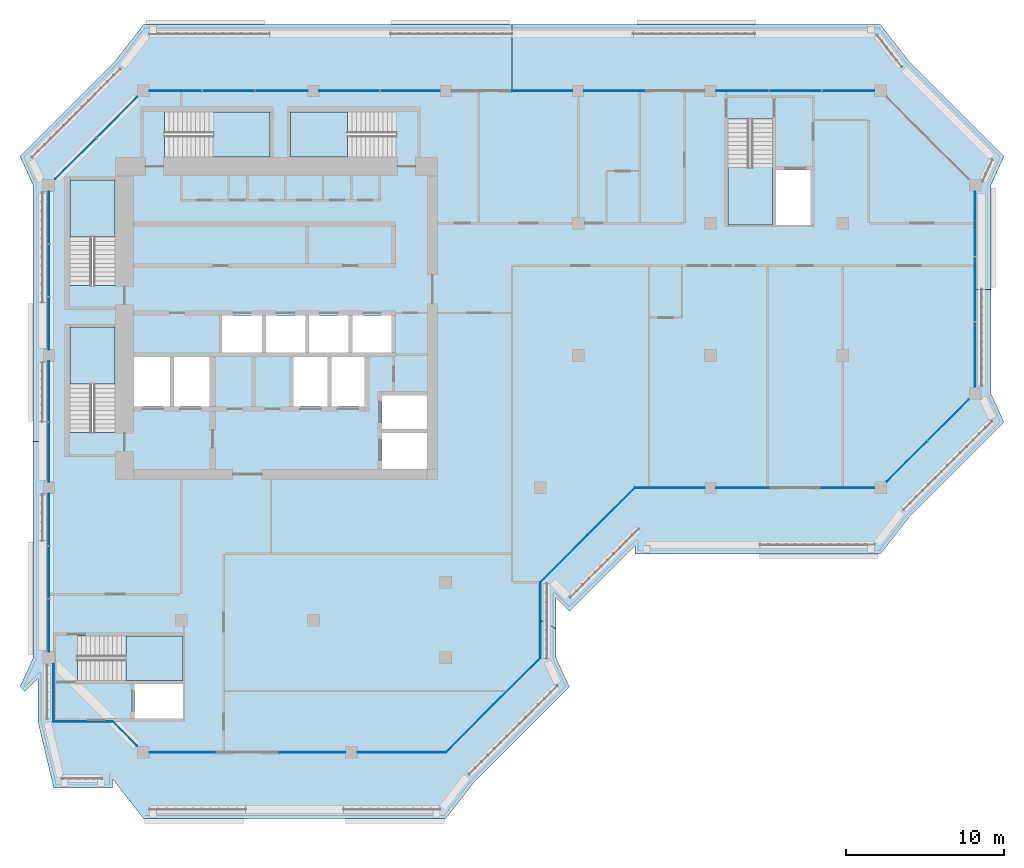
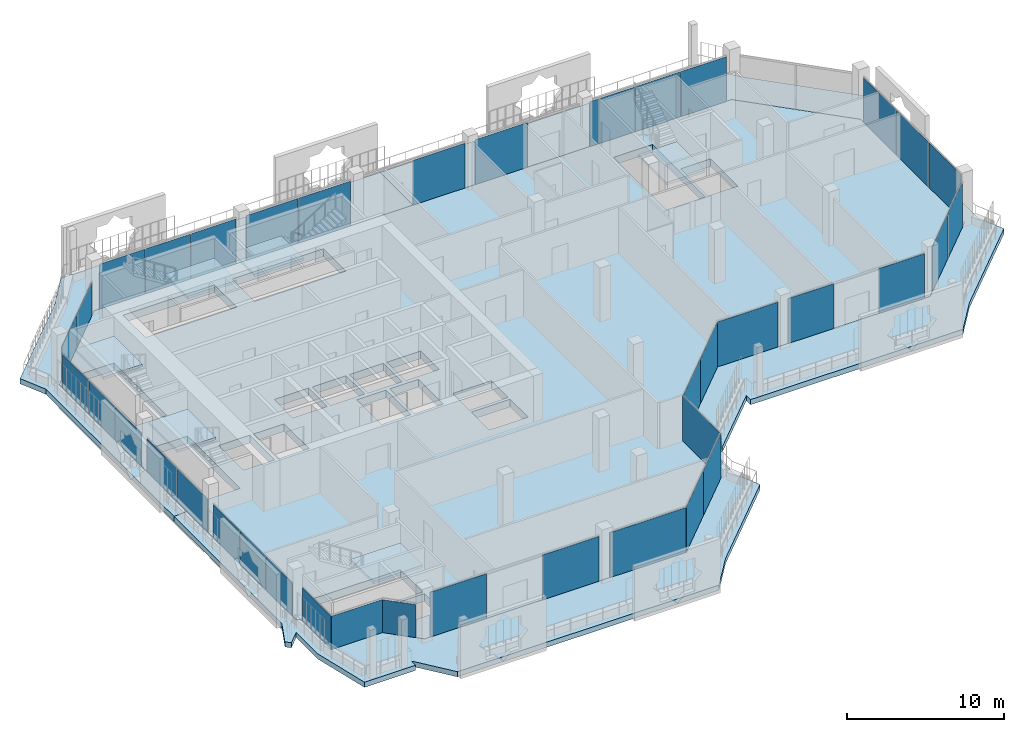
# One storey, part 9 of 21: 39 plates, 11 slabs, 19 elements without a shape of their own.
"""IFC4 building model written with IfcOpenShell, lengths in metres."""

import ifcopenshell
import ifcopenshell.guid

model = None  # the IFC model being written
_history = None  # IfcOwnerHistory: only IFC2X3 demands one
_inside = {}  # id of a spatial element -> (the spatial element, [elements in it])
_under = {}  # id of a project, library or spatial element -> (it, [spatial elements below it])
_declared = {}  # id of a project -> (the project, [libraries it declares])
_typed = {}  # id of a type object -> (the type object, [elements of that type])
_made_of = {}  # id of a material, layer set ... -> (it, [elements and type objects made of it])


def new_model(schema):
    """Start an empty IFC model of exactly this schema.

    Asked for "IFC4X3", IfcOpenShell would pick the latest addendum, in which some entities
    have other attributes; the version numbers below select the first issue.
    IFC2X3 requires an IfcOwnerHistory on every rooted entity: one is made here for all.
    """
    global model, _history
    if schema == "IFC4X3":
        model = ifcopenshell.file(schema_version=(4, 3, 0, 0))
    else:
        model = ifcopenshell.file(schema=schema)
    _inside.clear()
    _under.clear()
    _declared.clear()
    _typed.clear()
    _made_of.clear()
    _history = None
    if model.schema == "IFC2X3":
        org = make("IfcOrganization", Name="unknown")
        user = make(
            "IfcPersonAndOrganization",
            ThePerson=make("IfcPerson", FamilyName="unknown"),
            TheOrganization=org,
        )
        app = make(
            "IfcApplication",
            ApplicationDeveloper=org,
            Version="unknown",
            ApplicationFullName="unknown",
            ApplicationIdentifier="unknown",
        )
        _history = make(
            "IfcOwnerHistory",
            OwningUser=user,
            OwningApplication=app,
            ChangeAction="ADDED",
            CreationDate=0,
        )
    return model


def make(cls, **values):
    """One entity of the class cls with the attributes given. An attribute that is None is left unset."""
    return model.create_entity(
        cls, **{name: value for name, value in values.items() if value is not None}
    )


def rooted(cls, **values):
    """An entity with a GlobalId (a new one), such as an element, a storey or a relation."""
    return make(cls, GlobalId=ifcopenshell.guid.new(), OwnerHistory=_history, **values)


def si_unit(unit_type, name, prefix=None):
    """IfcSIUnit, for example si_unit("LENGTHUNIT", "METRE", prefix="MILLI")."""
    return make("IfcSIUnit", UnitType=unit_type, Prefix=prefix, Name=name)


def assignment(units):
    """IfcUnitAssignment: the units of a project."""
    return None if units is None else make("IfcUnitAssignment", Units=units)


def point(xyz):
    """IfcCartesianPoint."""
    return None if xyz is None else make("IfcCartesianPoint", Coordinates=xyz)


def direction(xyz):
    """IfcDirection."""
    return None if xyz is None else make("IfcDirection", DirectionRatios=xyz)


def frame(location, z_axis=None, x_axis=None):
    """IfcAxis2Placement3D, a coordinate frame: its origin and axes. An axis left out is left unset."""
    return make(
        "IfcAxis2Placement3D",
        Location=point(location),
        Axis=direction(z_axis),
        RefDirection=direction(x_axis),
    )


def frame_2d(location, x_axis=None):
    """IfcAxis2Placement2D, a coordinate frame in the plane: its origin and x axis."""
    return make(
        "IfcAxis2Placement2D", Location=point(location), RefDirection=direction(x_axis)
    )


def origin():
    """The frame at (0, 0, 0) with its axes left unset."""
    return frame((0.0, 0.0, 0.0))


def origin_2d():
    """The frame at (0, 0) in the plane with its x axis left unset."""
    return frame_2d((0.0, 0.0))


def place(relative_to, where):
    """IfcLocalPlacement: puts the frame where relative to a parent placement (None: the world)."""
    return make(
        "IfcLocalPlacement", PlacementRelTo=relative_to, RelativePlacement=where
    )


def context(
    kind, dimensions, precision=None, world=None, true_north=None, identifier=None
):
    """IfcGeometricRepresentationContext, for example the 3D "Model" context."""
    return make(
        "IfcGeometricRepresentationContext",
        ContextIdentifier=identifier,
        ContextType=kind,
        CoordinateSpaceDimension=dimensions,
        Precision=precision,
        WorldCoordinateSystem=world,
        TrueNorth=true_north,
    )


def subcontext(parent, identifier, kind, view, scale=None):
    """IfcGeometricRepresentationSubContext, for example "Body" below "Model"."""
    return make(
        "IfcGeometricRepresentationSubContext",
        ContextIdentifier=identifier,
        ContextType=kind,
        ParentContext=parent,
        TargetScale=scale,
        TargetView=view,
    )


def project(units=None, contexts=None):
    """IfcProject with its units and contexts."""
    return rooted(
        "IfcProject",
        Name="project",
        RepresentationContexts=contexts,
        UnitsInContext=assignment(units),
    )


def spatial(cls, under=None, at=None, **own):
    """A site, building, storey or space (cls), placed at a placement, below another one or the project."""
    s = rooted(cls, ObjectPlacement=at, **own)
    if under is not None:
        _under.setdefault(under.id(), (under, []))[1].append(s)
    return s


def polyline(points):
    """IfcPolyline through the points."""
    return make("IfcPolyline", Points=[point(p) for p in points])


def profile(cls, at=None, kind="AREA", **sizes):
    """A parametric profile (cls). Its sizes go by their IFC names, for example OverallWidth=200.0."""
    return make(cls, ProfileType=kind, Position=at, **sizes)


def rectangle(**sizes):
    """IfcRectangleProfileDef."""
    return profile("IfcRectangleProfileDef", **sizes)


def outline(outer, holes=None, kind="AREA"):
    """IfcArbitraryClosedProfileDef: a profile drawn as a closed curve; with holes, ...WithVoids."""
    if holes is None:
        return make("IfcArbitraryClosedProfileDef", ProfileType=kind, OuterCurve=outer)
    return make(
        "IfcArbitraryProfileDefWithVoids",
        ProfileType=kind,
        OuterCurve=outer,
        InnerCurves=holes,
    )


def extrude(swept, where, along, depth):
    """IfcExtrudedAreaSolid: the profile swept, set in the frame where, extruded along a direction by depth."""
    return make(
        "IfcExtrudedAreaSolid",
        SweptArea=swept,
        Position=where,
        ExtrudedDirection=direction(along),
        Depth=depth,
    )


def shape(context_of_items, identifier, shape_type, items):
    """IfcShapeRepresentation: the items that make up one representation, for example the "Body"."""
    return make(
        "IfcShapeRepresentation",
        ContextOfItems=context_of_items,
        RepresentationIdentifier=identifier,
        RepresentationType=shape_type,
        Items=items,
    )


def material(Name=None, Category=None):
    """IfcMaterial."""
    return make("IfcMaterial", Name=Name, Category=Category)


def layer(
    of_material, thickness, ventilated=None, Name=None, Category=None, Priority=None
):
    """IfcMaterialLayer: one layer of a wall or slab, of a material (None: an air gap)."""
    return make(
        "IfcMaterialLayer",
        Material=of_material,
        LayerThickness=thickness,
        IsVentilated=ventilated,
        Name=Name,
        Category=Category,
        Priority=Priority,
    )


def layer_set(layers, Name=None):
    """IfcMaterialLayerSet."""
    return make("IfcMaterialLayerSet", MaterialLayers=layers, LayerSetName=Name)


def made_of(thing, what):
    """Note that an element or type object is made of a material, layer set ...; save() writes the relation."""
    if what is not None:
        _made_of.setdefault(what.id(), (what, []))[1].append(thing)
    return thing


def type_object(cls, material=None, **own):
    """A type object (cls), such as IfcWallType, which elements share."""
    return made_of(rooted(cls, **own), material)


def element(
    cls,
    number,
    at=None,
    inside=None,
    cuts=None,
    type_object=None,
    material=None,
    context=None,
    identifier="Body",
    shape_type=None,
    held_by="IfcProductDefinitionShape",
    body=None,
    shapes=None,
    **own,
):
    """One element of the class cls, such as IfcWall. Its Tag is "e" and its number.

    at: its placement. inside: the storey or other place that contains it. cuts: it is an
    opening in that element (IfcRelVoidsElement). A single representation is given by context,
    identifier, shape_type and body (its items); several are given by shapes. held_by: the class
    of the entity that holds the representations. save() writes the other relations.
    """
    e = rooted(cls, Tag="e%d" % number, ObjectPlacement=at, **own)
    if body is not None:
        shapes = [shape(context, identifier, shape_type, body)]
    if shapes is not None:
        e.Representation = make(held_by, Representations=shapes)
    if inside is not None:
        _inside.setdefault(inside.id(), (inside, []))[1].append(e)
    if cuts is not None:
        rooted(
            "IfcRelVoidsElement", RelatingBuildingElement=cuts, RelatedOpeningElement=e
        )
    if type_object is not None:
        _typed.setdefault(type_object.id(), (type_object, []))[1].append(e)
    return made_of(e, material)


def aggregate(whole, parts):
    """IfcRelAggregates: a whole, such as a stair, and the parts it consists of."""
    return rooted("IfcRelAggregates", RelatingObject=whole, RelatedObjects=parts)


def save(model, path):
    """Write the relations noted so far, then the file.

    IfcRelAggregates (storeys below a building ...), IfcRelContainedInSpatialStructure (elements
    in a storey), IfcRelDefinesByType, IfcRelAssociatesMaterial and IfcRelDeclares: one each for
    every whole, place, type object, material and project.
    """
    for whole, parts in _under.values():
        aggregate(whole, parts)
    for where, things in _inside.values():
        rooted(
            "IfcRelContainedInSpatialStructure",
            RelatedElements=things,
            RelatingStructure=where,
        )
    for kind, things in _typed.values():
        rooted("IfcRelDefinesByType", RelatedObjects=things, RelatingType=kind)
    for what, things in _made_of.values():
        rooted("IfcRelAssociatesMaterial", RelatedObjects=things, RelatingMaterial=what)
    for by, libraries in _declared.values():
        rooted("IfcRelDeclares", RelatingContext=by, RelatedDefinitions=libraries)
    model.write(path)


model = new_model("IFC4")

# Units and contexts
model_context = context("Model", 3, precision=1e-05, world=origin(), true_north=direction((0.0, 1.0)))
body_context = subcontext(model_context, "Body", "Model", "MODEL_VIEW")
ifc_project = project(units=[si_unit("LENGTHUNIT", "METRE"), si_unit("AREAUNIT", "SQUARE_METRE"), si_unit("VOLUMEUNIT", "CUBIC_METRE"), si_unit("PLANEANGLEUNIT", "RADIAN"), si_unit("MASSUNIT", "GRAM", prefix="KILO")], contexts=[model_context])

# Site, building, storey
site_placement = place(None, origin())
site = spatial("IfcSite", under=ifc_project, at=site_placement, CompositionType="ELEMENT")
building_placement = place(site_placement, origin())
building = spatial("IfcBuilding", under=site, at=building_placement, Name="Kawkab Arch Medical Tower", CompositionType="ELEMENT")
storey_placement = place(building_placement, frame((0.0, 0.0, 323.800048828125)))
storey = spatial("IfcBuildingStorey", under=building, at=storey_placement, Name="L75", CompositionType="ELEMENT", Elevation=323.800048828125)

# Curtain wall, plates
ifc_material_1 = material(Name="Bronze anodised aluminium curtain wall frame", Category="aluminium")
ifc_layer_1 = layer(ifc_material_1, 0.159912109375)
ifc_layer_set_1 = layer_set([ifc_layer_1], Name="Bronze anodised aluminium curtain wall frame")
curtain_wall_type_1 = type_object("IfcCurtainWallType", Name="CW1 ward curtain wall", PredefinedType="NOTDEFINED", material=ifc_layer_set_1)
placement_1 = place(storey_placement, origin())
curtain_wall_1 = element("IfcCurtainWall", 1, at=placement_1, inside=storey, type_object=curtain_wall_type_1, Name="CW1 Ward curtain wall R02", PredefinedType="NOTDEFINED")
ifc_material_2 = material(Name="Tinted insulating glass, bronze low-e coating", Category="glass")
ifc_layer_2 = layer(ifc_material_2, 0.031982421875)
ifc_layer_set_2 = layer_set([ifc_layer_2], Name="Tinted insulating glass, bronze low-e coating")
plate_type_1 = type_object("IfcPlateType", Name="CW1 glazing unit 32", PredefinedType="CURTAIN_PANEL", material=ifc_layer_set_2)
plate_1_placement = place(storey_placement, frame((0.0, -8.055908203125, 0.0), z_axis=(0.0, 0.0, 1.0), x_axis=(0.0, -1.0, 0.0)))
plate_1 = element("IfcPlate", 2, at=plate_1_placement, type_object=plate_type_1, Name="CW1 glazing unit 1.1", PredefinedType="CURTAIN_PANEL", context=body_context, shape_type="SweptSolid", body=[
    extrude(rectangle(XDim=3.311767578125, YDim=0.031982421875, at=origin_2d()), origin(), (0.0, 0.0, 1.0), 2.580078125),
])
plate_2_placement = place(storey_placement, frame((0.0, -11.41259765625, 0.0), z_axis=(0.0, 0.0, 1.0), x_axis=(0.0, -1.0, 0.0)))
plate_2 = element("IfcPlate", 3, at=plate_2_placement, type_object=plate_type_1, Name="CW1 glazing unit 1.2", PredefinedType="CURTAIN_PANEL", context=body_context, shape_type="SweptSolid", body=[
    extrude(rectangle(XDim=3.28173828125, YDim=0.031982421875, at=origin_2d()), origin(), (0.0, 0.0, 1.0), 2.580078125),
])
plate_3_placement = place(storey_placement, frame((0.0, -14.769287109375, 0.0), z_axis=(0.0, 0.0, 1.0), x_axis=(0.0, -1.0, 0.0)))
plate_3 = element("IfcPlate", 4, at=plate_3_placement, type_object=plate_type_1, Name="CW1 glazing unit 1.3", PredefinedType="CURTAIN_PANEL", context=body_context, shape_type="SweptSolid", body=[
    extrude(rectangle(XDim=3.311767578125, YDim=0.031982421875, at=origin_2d()), origin(), (0.0, 0.0, 1.0), 2.580078125),
])
plate_4_placement = place(storey_placement, frame((0.0, -19.072509765625, 0.0), z_axis=(0.0, 0.0, 1.0), x_axis=(0.0, -1.0, 0.0)))
plate_4 = element("IfcPlate", 5, at=plate_4_placement, type_object=plate_type_1, Name="CW1 glazing unit 2.1", PredefinedType="CURTAIN_PANEL", context=body_context, shape_type="SweptSolid", body=[
    extrude(rectangle(XDim=3.794921875, YDim=0.031982421875, at=origin_2d()), origin(), (0.0, 0.0, 1.0), 2.580078125),
])
plate_5_placement = place(storey_placement, frame((0.0, -22.927490234375, 0.0), z_axis=(0.0, 0.0, 1.0), x_axis=(0.0, -1.0, 0.0)))
plate_5 = element("IfcPlate", 6, at=plate_5_placement, type_object=plate_type_1, Name="CW1 glazing unit 2.2", PredefinedType="CURTAIN_PANEL", context=body_context, shape_type="SweptSolid", body=[
    extrude(rectangle(XDim=3.794921875, YDim=0.031982421875, at=origin_2d()), origin(), (0.0, 0.0, 1.0), 2.580078125),
])
plate_6_placement = place(storey_placement, frame((0.0, -27.230712890625, 0.0), z_axis=(0.0, 0.0, 1.0), x_axis=(0.0, -1.0, 0.0)))
plate_6 = element("IfcPlate", 7, at=plate_6_placement, type_object=plate_type_1, Name="CW1 glazing unit 3.1", PredefinedType="CURTAIN_PANEL", context=body_context, shape_type="SweptSolid", body=[
    extrude(rectangle(XDim=3.311767578125, YDim=0.031982421875, at=origin_2d()), origin(), (0.0, 0.0, 1.0), 2.580078125),
])
plate_7_placement = place(storey_placement, frame((0.0, -30.58740234375, 0.0), z_axis=(0.0, 0.0, 1.0), x_axis=(0.0, -1.0, 0.0)))
plate_7 = element("IfcPlate", 8, at=plate_7_placement, type_object=plate_type_1, Name="CW1 glazing unit 3.2", PredefinedType="CURTAIN_PANEL", context=body_context, shape_type="SweptSolid", body=[
    extrude(rectangle(XDim=3.28173828125, YDim=0.031982421875, at=origin_2d()), origin(), (0.0, 0.0, 1.0), 2.580078125),
])
plate_8_placement = place(storey_placement, frame((0.0, -33.944091796875, 0.0), z_axis=(0.0, 0.0, 1.0), x_axis=(0.0, -1.0, 0.0)))
plate_8 = element("IfcPlate", 9, at=plate_8_placement, type_object=plate_type_1, Name="CW1 glazing unit 3.3", PredefinedType="CURTAIN_PANEL", context=body_context, shape_type="SweptSolid", body=[
    extrude(rectangle(XDim=3.311767578125, YDim=0.031982421875, at=origin_2d()), origin(), (0.0, 0.0, 1.0), 2.580078125),
])
aggregate(curtain_wall_1, [plate_1, plate_2, plate_3, plate_4, plate_5, plate_6, plate_7, plate_8])

# Curtain wall, plate
curtain_wall_2 = element("IfcCurtainWall", 10, at=placement_1, inside=storey, type_object=curtain_wall_type_1, Name="CW1 Ward curtain wall R04", PredefinedType="NOTDEFINED")
plate_9_placement = place(storey_placement, frame((0.300048828125, -38.22509765625, 0.0), z_axis=(0.0, 0.0, 1.0), x_axis=(0.0, -1.0, 0.0)))
plate_9 = element("IfcPlate", 11, at=plate_9_placement, type_object=plate_type_1, Name="CW1 glazing unit 1.1", PredefinedType="CURTAIN_PANEL", context=body_context, shape_type="SweptSolid", body=[
    extrude(rectangle(XDim=3.64990234375, YDim=0.031982421875, at=origin_2d()), origin(), (0.0, 0.0, 1.0), 2.580078125),
])
aggregate(curtain_wall_2, [plate_9])

curtain_wall_3 = element("IfcCurtainWall", 12, at=placement_1, inside=storey, type_object=curtain_wall_type_1, Name="CW1 Ward curtain wall R05", PredefinedType="NOTDEFINED")
plate_10_placement = place(storey_placement, frame((2.175048828125, -40.050048828125, 0.0), z_axis=(0.0, 0.0, 1.0), x_axis=(1.0, 0.0, 0.0)))
plate_10 = element("IfcPlate", 13, at=plate_10_placement, type_object=plate_type_1, Name="CW1 glazing unit 1.1", PredefinedType="CURTAIN_PANEL", context=body_context, shape_type="SweptSolid", body=[
    extrude(rectangle(XDim=3.75, YDim=0.031982421875, at=origin_2d()), origin(), (0.0, 0.0, 1.0), 2.580078125),
])
aggregate(curtain_wall_3, [plate_10])

# Curtain wall, plates
curtain_wall_4 = element("IfcCurtainWall", 14, at=placement_1, inside=storey, type_object=curtain_wall_type_1, Name="CW1 Ward curtain wall R07", PredefinedType="NOTDEFINED")
plate_11_placement = place(storey_placement, frame((8.466552734375, -42.0, 0.0), z_axis=(0.0, 0.0, 1.0), x_axis=(1.0, 0.0, 0.0)))
plate_11 = element("IfcPlate", 15, at=plate_11_placement, type_object=plate_type_1, Name="CW1 glazing unit 1.1", PredefinedType="CURTAIN_PANEL", context=body_context, shape_type="SweptSolid", body=[
    extrude(rectangle(XDim=4.13330078125, YDim=0.031982421875, at=origin_2d()), origin(), (0.0, 0.0, 1.0), 3.47998046875),
])
plate_12_placement = place(storey_placement, frame((16.7333984375, -42.0, 0.0), z_axis=(0.0, 0.0, 1.0), x_axis=(1.0, 0.0, 0.0)))
plate_12 = element("IfcPlate", 16, at=plate_12_placement, type_object=plate_type_1, Name="CW1 glazing unit 1.3", PredefinedType="CURTAIN_PANEL", context=body_context, shape_type="SweptSolid", body=[
    extrude(rectangle(XDim=4.13330078125, YDim=0.031982421875, at=origin_2d()), origin(), (0.0, 0.0, 1.0), 3.47998046875),
])
plate_13_placement = place(storey_placement, frame((22.39990234375, -42.0, 0.0), z_axis=(0.0, 0.0, 1.0), x_axis=(1.0, 0.0, 0.0)))
plate_13 = element("IfcPlate", 17, at=plate_13_placement, type_object=plate_type_1, Name="CW1 glazing unit 2.1", PredefinedType="CURTAIN_PANEL", context=body_context, shape_type="SweptSolid", body=[
    extrude(rectangle(XDim=5.60009765625, YDim=0.031982421875, at=origin_2d()), origin(), (0.0, 0.0, 1.0), 3.47998046875),
])
aggregate(curtain_wall_4, [plate_11, plate_12, plate_13])

# Curtain wall, plate
curtain_wall_5 = element("IfcCurtainWall", 18, at=placement_1, inside=storey, type_object=curtain_wall_type_1, Name="CW1 Ward curtain wall R09", PredefinedType="NOTDEFINED")
plate_14_placement = place(storey_placement, frame((31.199951171875, -33.60009765625, 0.0), z_axis=(0.0, 0.0, 1.0), x_axis=(0.0, 1.0, 0.0)))
plate_14 = element("IfcPlate", 19, at=plate_14_placement, type_object=plate_type_1, Name="CW1 glazing unit 1.1", PredefinedType="CURTAIN_PANEL", context=body_context, shape_type="SweptSolid", body=[
    extrude(rectangle(XDim=4.800048828125, YDim=0.031982421875, at=origin_2d()), origin(), (0.0, 0.0, 1.0), 3.47998046875),
])
aggregate(curtain_wall_5, [plate_14])

# Curtain wall, plates
curtain_wall_6 = element("IfcCurtainWall", 20, at=placement_1, inside=storey, type_object=curtain_wall_type_1, Name="CW1 Ward curtain wall R11", PredefinedType="NOTDEFINED")
plate_15_placement = place(storey_placement, frame((39.41259765625, -25.199951171875, 0.0), z_axis=(0.0, 0.0, 1.0), x_axis=(1.0, 0.0, 0.0)))
plate_15 = element("IfcPlate", 21, at=plate_15_placement, type_object=plate_type_1, Name="CW1 glazing unit 1.1", PredefinedType="CURTAIN_PANEL", context=body_context, shape_type="SweptSolid", body=[
    extrude(rectangle(XDim=4.425048828125, YDim=0.031982421875, at=origin_2d()), origin(), (0.0, 0.0, 1.0), 3.47998046875),
])
plate_16_placement = place(storey_placement, frame((44.0458984375, -25.199951171875, 0.0), z_axis=(0.0, 0.0, 1.0), x_axis=(1.0, 0.0, 0.0)))
plate_16 = element("IfcPlate", 22, at=plate_16_placement, type_object=plate_type_1, Name="CW1 glazing unit 2.1", PredefinedType="CURTAIN_PANEL", context=body_context, shape_type="SweptSolid", body=[
    extrude(rectangle(XDim=3.341552734375, YDim=0.031982421875, at=origin_2d()), origin(), (0.0, 0.0, 1.0), 3.47998046875),
])
plate_17_placement = place(storey_placement, frame((50.729248046875, -25.199951171875, 0.0), z_axis=(0.0, 0.0, 1.0), x_axis=(1.0, 0.0, 0.0)))
plate_17 = element("IfcPlate", 23, at=plate_17_placement, type_object=plate_type_1, Name="CW1 glazing unit 2.3", PredefinedType="CURTAIN_PANEL", context=body_context, shape_type="SweptSolid", body=[
    extrude(rectangle(XDim=3.341552734375, YDim=0.031982421875, at=origin_2d()), origin(), (0.0, 0.0, 1.0), 3.47998046875),
])
aggregate(curtain_wall_6, [plate_15, plate_16, plate_17])

curtain_wall_7 = element("IfcCurtainWall", 24, at=placement_1, inside=storey, type_object=curtain_wall_type_1, Name="CW1 Ward curtain wall R13", PredefinedType="NOTDEFINED")
plate_18_placement = place(storey_placement, frame((58.800048828125, -16.748291015625, 0.0), z_axis=(0.0, 0.0, 1.0), x_axis=(0.0, 1.0, 0.0)))
plate_18 = element("IfcPlate", 25, at=plate_18_placement, type_object=plate_type_1, Name="CW1 glazing unit 1.1", PredefinedType="CURTAIN_PANEL", context=body_context, shape_type="SweptSolid", body=[
    extrude(rectangle(XDim=4.103271484375, YDim=0.031982421875, at=origin_2d()), origin(), (0.0, 0.0, 1.0), 3.47998046875),
])
plate_19_placement = place(storey_placement, frame((58.800048828125, -12.60009765625, 0.0), z_axis=(0.0, 0.0, 1.0), x_axis=(0.0, 1.0, 0.0)))
plate_19 = element("IfcPlate", 26, at=plate_19_placement, type_object=plate_type_1, Name="CW1 glazing unit 1.2", PredefinedType="CURTAIN_PANEL", context=body_context, shape_type="SweptSolid", body=[
    extrude(rectangle(XDim=4.0732421875, YDim=0.031982421875, at=origin_2d()), origin(), (0.0, 0.0, 1.0), 3.47998046875),
])
plate_20_placement = place(storey_placement, frame((58.800048828125, -8.45166015625, 0.0), z_axis=(0.0, 0.0, 1.0), x_axis=(0.0, 1.0, 0.0)))
plate_20 = element("IfcPlate", 27, at=plate_20_placement, type_object=plate_type_1, Name="CW1 glazing unit 1.3", PredefinedType="CURTAIN_PANEL", context=body_context, shape_type="SweptSolid", body=[
    extrude(rectangle(XDim=4.103271484375, YDim=0.031982421875, at=origin_2d()), origin(), (0.0, 0.0, 1.0), 3.47998046875),
])
aggregate(curtain_wall_7, [plate_18, plate_19, plate_20])

curtain_wall_8 = element("IfcCurtainWall", 28, at=placement_1, inside=storey, type_object=curtain_wall_type_1, Name="CW1 Ward curtain wall R15", PredefinedType="NOTDEFINED")
plate_21_placement = place(storey_placement, frame((50.744140625, 0.0, 0.0), z_axis=(0.0, 0.0, 1.0), x_axis=(-1.0, 0.0, 0.0)))
plate_21 = element("IfcPlate", 29, at=plate_21_placement, type_object=plate_type_1, Name="CW1 glazing unit 1.1", PredefinedType="CURTAIN_PANEL", context=body_context, shape_type="SweptSolid", body=[
    extrude(rectangle(XDim=3.311767578125, YDim=0.031982421875, at=origin_2d()), origin(), (0.0, 0.0, 1.0), 3.47998046875),
])
plate_22_placement = place(storey_placement, frame((47.387451171875, 0.0, 0.0), z_axis=(0.0, 0.0, 1.0), x_axis=(-1.0, 0.0, 0.0)))
plate_22 = element("IfcPlate", 30, at=plate_22_placement, type_object=plate_type_1, Name="CW1 glazing unit 1.2", PredefinedType="CURTAIN_PANEL", context=body_context, shape_type="SweptSolid", body=[
    extrude(rectangle(XDim=3.28173828125, YDim=0.031982421875, at=origin_2d()), origin(), (0.0, 0.0, 1.0), 3.47998046875),
])
plate_23_placement = place(storey_placement, frame((44.03076171875, 0.0, 0.0), z_axis=(0.0, 0.0, 1.0), x_axis=(-1.0, 0.0, 0.0)))
plate_23 = element("IfcPlate", 31, at=plate_23_placement, type_object=plate_type_1, Name="CW1 glazing unit 1.3", PredefinedType="CURTAIN_PANEL", context=body_context, shape_type="SweptSolid", body=[
    extrude(rectangle(XDim=3.311767578125, YDim=0.031982421875, at=origin_2d()), origin(), (0.0, 0.0, 1.0), 3.47998046875),
])
plate_24_placement = place(storey_placement, frame((35.887451171875, 0.0, 0.0), z_axis=(0.0, 0.0, 1.0), x_axis=(-1.0, 0.0, 0.0)))
plate_24 = element("IfcPlate", 32, at=plate_24_placement, type_object=plate_type_1, Name="CW1 glazing unit 2.2", PredefinedType="CURTAIN_PANEL", context=body_context, shape_type="SweptSolid", body=[
    extrude(rectangle(XDim=3.824951171875, YDim=0.031982421875, at=origin_2d()), origin(), (0.0, 0.0, 1.0), 3.47998046875),
])
plate_25_placement = place(storey_placement, frame((31.3125, 0.0, 0.0), z_axis=(0.0, 0.0, 1.0), x_axis=(-1.0, 0.0, 0.0)))
plate_25 = element("IfcPlate", 33, at=plate_25_placement, type_object=plate_type_1, Name="CW1 glazing unit 3.1", PredefinedType="CURTAIN_PANEL", context=body_context, shape_type="SweptSolid", body=[
    extrude(rectangle(XDim=3.824951171875, YDim=0.031982421875, at=origin_2d()), origin(), (0.0, 0.0, 1.0), 3.47998046875),
])
plate_26_placement = place(storey_placement, frame((22.927490234375, 0.0, 0.0), z_axis=(0.0, 0.0, 1.0), x_axis=(-1.0, 0.0, 0.0)))
plate_26 = element("IfcPlate", 34, at=plate_26_placement, type_object=plate_type_1, Name="CW1 glazing unit 4.1", PredefinedType="CURTAIN_PANEL", context=body_context, shape_type="SweptSolid", body=[
    extrude(rectangle(XDim=3.794921875, YDim=0.031982421875, at=origin_2d()), origin(), (0.0, 0.0, 1.0), 3.47998046875),
])
plate_27_placement = place(storey_placement, frame((19.072509765625, 0.0, 0.0), z_axis=(0.0, 0.0, 1.0), x_axis=(-1.0, 0.0, 0.0)))
plate_27 = element("IfcPlate", 35, at=plate_27_placement, type_object=plate_type_1, Name="CW1 glazing unit 4.2", PredefinedType="CURTAIN_PANEL", context=body_context, shape_type="SweptSolid", body=[
    extrude(rectangle(XDim=3.794921875, YDim=0.031982421875, at=origin_2d()), origin(), (0.0, 0.0, 1.0), 3.47998046875),
])
plate_28_placement = place(storey_placement, frame((14.769287109375, 0.0, 0.0), z_axis=(0.0, 0.0, 1.0), x_axis=(-1.0, 0.0, 0.0)))
plate_28 = element("IfcPlate", 36, at=plate_28_placement, type_object=plate_type_1, Name="CW1 glazing unit 5.1", PredefinedType="CURTAIN_PANEL", context=body_context, shape_type="SweptSolid", body=[
    extrude(rectangle(XDim=3.311767578125, YDim=0.031982421875, at=origin_2d()), origin(), (0.0, 0.0, 1.0), 3.47998046875),
])
plate_29_placement = place(storey_placement, frame((11.41259765625, 0.0, 0.0), z_axis=(0.0, 0.0, 1.0), x_axis=(-1.0, 0.0, 0.0)))
plate_29 = element("IfcPlate", 37, at=plate_29_placement, type_object=plate_type_1, Name="CW1 glazing unit 5.2", PredefinedType="CURTAIN_PANEL", context=body_context, shape_type="SweptSolid", body=[
    extrude(rectangle(XDim=3.28173828125, YDim=0.031982421875, at=origin_2d()), origin(), (0.0, 0.0, 1.0), 3.47998046875),
])
plate_30_placement = place(storey_placement, frame((8.055908203125, 0.0, 0.0), z_axis=(0.0, 0.0, 1.0), x_axis=(-1.0, 0.0, 0.0)))
plate_30 = element("IfcPlate", 38, at=plate_30_placement, type_object=plate_type_1, Name="CW1 glazing unit 5.3", PredefinedType="CURTAIN_PANEL", context=body_context, shape_type="SweptSolid", body=[
    extrude(rectangle(XDim=3.311767578125, YDim=0.031982421875, at=origin_2d()), origin(), (0.0, 0.0, 1.0), 3.47998046875),
])
aggregate(curtain_wall_8, [plate_21, plate_22, plate_23, plate_24, plate_25, plate_26, plate_27, plate_28, plate_29, plate_30])

ifc_material_3 = material(Name="Bronze anodised aluminium curtain wall frame", Category="aluminium")
ifc_layer_3 = layer(ifc_material_3, 0.159912109375)
ifc_layer_set_3 = layer_set([ifc_layer_3], Name="Bronze anodised aluminium curtain wall frame")
curtain_wall_type_2 = type_object("IfcCurtainWallType", Name="CW2 chamfer curtain wall", PredefinedType="NOTDEFINED", material=ifc_layer_set_3)
curtain_wall_9 = element("IfcCurtainWall", 39, at=placement_1, inside=storey, type_object=curtain_wall_type_2, Name="CW2 Chamfer curtain wall R01", PredefinedType="NOTDEFINED")
ifc_material_4 = material(Name="Tinted insulating glass, bronze low-e coating", Category="glass")
ifc_layer_4 = layer(ifc_material_4, 0.031982421875)
ifc_layer_set_4 = layer_set([ifc_layer_4], Name="Tinted insulating glass, bronze low-e coating")
plate_type_2 = type_object("IfcPlateType", Name="CW2 glazing unit 32", PredefinedType="CURTAIN_PANEL", material=ifc_layer_set_4)
plate_31_placement = place(storey_placement, frame((4.310546875, -1.689453125, 0.0), z_axis=(0.0, 0.0, 1.0), x_axis=(-0.707106781187, -0.707106781187, 0.0)))
plate_31 = element("IfcPlate", 40, at=plate_31_placement, type_object=plate_type_2, Name="CW2 glazing unit 1.1", PredefinedType="CURTAIN_PANEL", context=body_context, shape_type="SweptSolid", body=[
    extrude(rectangle(XDim=3.64697265625, YDim=0.031982421875, at=origin_2d()), origin(), (0.0, 0.0, 1.0), 2.56005859375),
])
plate_32_placement = place(storey_placement, frame((1.689453125, -4.310546875, 0.0), z_axis=(0.0, 0.0, 1.0), x_axis=(-0.707106781187, -0.707106781187, 0.0)))
plate_32 = element("IfcPlate", 41, at=plate_32_placement, type_object=plate_type_2, Name="CW2 glazing unit 1.2", PredefinedType="CURTAIN_PANEL", context=body_context, shape_type="SweptSolid", body=[
    extrude(rectangle(XDim=3.64697265625, YDim=0.031982421875, at=origin_2d()), origin(), (0.0, 0.0, 1.0), 2.56005859375),
])
aggregate(curtain_wall_9, [plate_31, plate_32])

# Curtain wall, plate
curtain_wall_10 = element("IfcCurtainWall", 42, at=placement_1, inside=storey, type_object=curtain_wall_type_2, Name="CW2 Chamfer curtain wall R06", PredefinedType="NOTDEFINED")
plate_33_placement = place(storey_placement, frame((4.824951171875, -40.824951171875, 0.0), z_axis=(0.0, 0.0, 1.0), x_axis=(0.707106781187, -0.707106781187, 0.0)))
plate_33 = element("IfcPlate", 43, at=plate_33_placement, type_object=plate_type_2, Name="CW2 glazing unit 1.1", PredefinedType="CURTAIN_PANEL", context=body_context, shape_type="SweptSolid", body=[
    extrude(rectangle(XDim=2.192138671875, YDim=0.031982421875, at=origin_2d()), origin(), (0.0, 0.0, 1.0), 2.56005859375),
])
aggregate(curtain_wall_10, [plate_33])

# Curtain wall, plates
curtain_wall_11 = element("IfcCurtainWall", 44, at=placement_1, inside=storey, type_object=curtain_wall_type_2, Name="CW2 Chamfer curtain wall R08", PredefinedType="NOTDEFINED")
plate_34_placement = place(storey_placement, frame((26.699951171875, -40.5, 0.0), z_axis=(0.0, 0.0, 1.0), x_axis=(0.707106781187, 0.707106781187, 0.0)))
plate_34 = element("IfcPlate", 45, at=plate_34_placement, type_object=plate_type_2, Name="CW2 glazing unit 1.1", PredefinedType="CURTAIN_PANEL", context=body_context, shape_type="SweptSolid", body=[
    extrude(rectangle(XDim=4.24267578125, YDim=0.031982421875, at=origin_2d()), origin(), (0.0, 0.0, 1.0), 3.4599609375),
])
plate_35_placement = place(storey_placement, frame((29.699951171875, -37.5, 0.0), z_axis=(0.0, 0.0, 1.0), x_axis=(0.707106781187, 0.707106781187, 0.0)))
plate_35 = element("IfcPlate", 46, at=plate_35_placement, type_object=plate_type_2, Name="CW2 glazing unit 2.1", PredefinedType="CURTAIN_PANEL", context=body_context, shape_type="SweptSolid", body=[
    extrude(rectangle(XDim=4.24267578125, YDim=0.031982421875, at=origin_2d()), origin(), (0.0, 0.0, 1.0), 3.4599609375),
])
aggregate(curtain_wall_11, [plate_34, plate_35])

curtain_wall_12 = element("IfcCurtainWall", 47, at=placement_1, inside=storey, type_object=curtain_wall_type_2, Name="CW2 Chamfer curtain wall R10", PredefinedType="NOTDEFINED")
plate_36_placement = place(storey_placement, frame((32.699951171875, -29.699951171875, 0.0), z_axis=(0.0, 0.0, 1.0), x_axis=(0.707106781187, 0.707106781187, 0.0)))
plate_36 = element("IfcPlate", 48, at=plate_36_placement, type_object=plate_type_2, Name="CW2 glazing unit 1.1", PredefinedType="CURTAIN_PANEL", context=body_context, shape_type="SweptSolid", body=[
    extrude(rectangle(XDim=4.24267578125, YDim=0.031982421875, at=origin_2d()), origin(), (0.0, 0.0, 1.0), 3.4599609375),
])
plate_37_placement = place(storey_placement, frame((35.699951171875, -26.699951171875, 0.0), z_axis=(0.0, 0.0, 1.0), x_axis=(0.707106781187, 0.707106781187, 0.0)))
plate_37 = element("IfcPlate", 49, at=plate_37_placement, type_object=plate_type_2, Name="CW2 glazing unit 2.1", PredefinedType="CURTAIN_PANEL", context=body_context, shape_type="SweptSolid", body=[
    extrude(rectangle(XDim=4.24267578125, YDim=0.031982421875, at=origin_2d()), origin(), (0.0, 0.0, 1.0), 3.4599609375),
])
aggregate(curtain_wall_12, [plate_36, plate_37])

curtain_wall_13 = element("IfcCurtainWall", 50, at=placement_1, inside=storey, type_object=curtain_wall_type_2, Name="CW2 Chamfer curtain wall R12", PredefinedType="NOTDEFINED")
plate_38_placement = place(storey_placement, frame((54.489501953125, -23.510498046875, 0.0), z_axis=(0.0, 0.0, 1.0), x_axis=(0.707106781187, 0.707106781187, 0.0)))
plate_38 = element("IfcPlate", 51, at=plate_38_placement, type_object=plate_type_2, Name="CW2 glazing unit 1.1", PredefinedType="CURTAIN_PANEL", context=body_context, shape_type="SweptSolid", body=[
    extrude(rectangle(XDim=3.64697265625, YDim=0.031982421875, at=origin_2d()), origin(), (0.0, 0.0, 1.0), 3.4599609375),
])
plate_39_placement = place(storey_placement, frame((57.110595703125, -20.889404296875, 0.0), z_axis=(0.0, 0.0, 1.0), x_axis=(0.707106781187, 0.707106781187, 0.0)))
plate_39 = element("IfcPlate", 52, at=plate_39_placement, type_object=plate_type_2, Name="CW2 glazing unit 1.2", PredefinedType="CURTAIN_PANEL", context=body_context, shape_type="SweptSolid", body=[
    extrude(rectangle(XDim=3.64697265625, YDim=0.031982421875, at=origin_2d()), origin(), (0.0, 0.0, 1.0), 3.4599609375),
])
aggregate(curtain_wall_13, [plate_38, plate_39])

# Stair, slab
ifc_material_5 = material(Name="Concrete C40/50", Category="concrete")
stair_type = type_object("IfcStairType", Name="Exit stair 1350", PredefinedType="HALF_TURN_STAIR", material=ifc_material_5)
stair_1 = element("IfcStair", 53, at=placement_1, inside=storey, type_object=stair_type, Name="L75 Exit stair ST1", PredefinedType="HALF_TURN_STAIR")
ifc_material_6 = material(Name="Concrete C40/50", Category="concrete")
ifc_layer_5 = layer(ifc_material_6, 0.199951171875)
ifc_layer_set_5 = layer_set([ifc_layer_5], Name="Concrete C40/50")
slab_type_1 = type_object("IfcSlabType", Name="Exit stair landing 200", PredefinedType="LANDING", material=ifc_layer_set_5)
placement_2 = place(storey_placement, frame((0.0, 0.0, 1.89990234375)))
slab_1 = element("IfcSlab", 54, at=placement_2, type_object=slab_type_1, Name="ST1 landing 1", PredefinedType="LANDING", context=body_context, shape_type="SweptSolid", body=[
    extrude(outline(polyline([(4.199951171875, -9.27001953125), (4.199951171875, -5.64990234375), (1.35009765625, -5.64990234375), (1.35009765625, -9.27001953125), (4.199951171875, -9.27001953125)])), origin(), (0.0, 0.0, 1.0), 0.199951171875),
])
aggregate(stair_1, [slab_1])

stair_2 = element("IfcStair", 55, at=placement_1, inside=storey, type_object=stair_type, Name="L75 Exit stair ST2", PredefinedType="HALF_TURN_STAIR")
slab_2 = element("IfcSlab", 56, at=placement_2, type_object=slab_type_1, Name="ST2 landing 1", PredefinedType="LANDING", context=body_context, shape_type="SweptSolid", body=[
    extrude(outline(polyline([(4.199951171875, -18.6201171875), (4.199951171875, -15.0), (1.35009765625, -15.0), (1.35009765625, -18.6201171875), (4.199951171875, -18.6201171875)])), origin(), (0.0, 0.0, 1.0), 0.199951171875),
])
aggregate(stair_2, [slab_2])

stair_3 = element("IfcStair", 57, at=placement_1, inside=storey, type_object=stair_type, Name="L75 Exit stair ST3", PredefinedType="HALF_TURN_STAIR")
slab_3 = element("IfcSlab", 58, at=placement_2, type_object=slab_type_1, Name="ST3 landing 1", PredefinedType="LANDING", context=body_context, shape_type="SweptSolid", body=[
    extrude(outline(polyline([(10.429931640625, -4.199951171875), (14.050048828125, -4.199951171875), (14.050048828125, -1.35009765625), (10.429931640625, -1.35009765625), (10.429931640625, -4.199951171875)])), origin(), (0.0, 0.0, 1.0), 0.199951171875),
])
aggregate(stair_3, [slab_3])

stair_4 = element("IfcStair", 59, at=placement_1, inside=storey, type_object=stair_type, Name="L75 Exit stair ST4", PredefinedType="HALF_TURN_STAIR")
slab_4 = element("IfcSlab", 60, at=placement_2, type_object=slab_type_1, Name="ST4 landing 1", PredefinedType="LANDING", context=body_context, shape_type="SweptSolid", body=[
    extrude(outline(polyline([(18.969970703125, -1.35009765625), (15.35009765625, -1.35009765625), (15.35009765625, -4.199951171875), (18.969970703125, -4.199951171875), (18.969970703125, -1.35009765625)])), origin(), (0.0, 0.0, 1.0), 0.199951171875),
])
aggregate(stair_4, [slab_4])

stair_5 = element("IfcStair", 61, at=placement_1, inside=storey, type_object=stair_type, Name="L75 Exit stair ST5", PredefinedType="HALF_TURN_STAIR")
slab_5 = element("IfcSlab", 62, at=placement_2, type_object=slab_type_1, Name="ST5 landing 1", PredefinedType="LANDING", context=body_context, shape_type="SweptSolid", body=[
    extrude(outline(polyline([(43.10009765625, -4.8798828125), (43.10009765625, -8.5), (45.949951171875, -8.5), (45.949951171875, -4.8798828125), (43.10009765625, -4.8798828125)])), origin(), (0.0, 0.0, 1.0), 0.199951171875),
])
aggregate(stair_5, [slab_5])

stair_6 = element("IfcStair", 63, at=placement_1, inside=storey, type_object=stair_type, Name="L75 Exit stair ST6", PredefinedType="HALF_TURN_STAIR")
slab_6 = element("IfcSlab", 64, at=placement_2, type_object=slab_type_1, Name="ST6 landing 1", PredefinedType="LANDING", context=body_context, shape_type="SweptSolid", body=[
    extrude(outline(polyline([(4.8798828125, -37.449951171875), (8.5, -37.449951171875), (8.5, -34.60009765625), (4.8798828125, -34.60009765625), (4.8798828125, -37.449951171875)])), origin(), (0.0, 0.0, 1.0), 0.199951171875),
])
aggregate(stair_6, [slab_6])

# Slabs
ifc_material_7 = material(Name="Concrete C45/55", Category="concrete")
ifc_layer_6 = layer(ifc_material_7, 0.60009765625)
ifc_layer_set_6 = layer_set([ifc_layer_6], Name="Concrete C45/55")
slab_type_2 = type_object("IfcSlabType", Name="Flat plate 600 C45/55", PredefinedType="FLOOR", material=ifc_layer_set_6)
slab_7_placement = place(storey_placement, frame((0.0, 0.0, -0.60009765625)))
element("IfcSlab", 65, at=slab_7_placement, inside=storey, type_object=slab_type_2, Name="Floor slab L75", PredefinedType="FLOOR", context=body_context, shape_type="SweptSolid", body=[
    extrude(outline(polyline([(52.800048828125, 0.0), (58.800048828125, -6.0), (58.800048828125, -19.199951171875), (52.800048828125, -25.199951171875), (37.199951171875, -25.199951171875), (31.199951171875, -31.199951171875), (31.199951171875, -36.0), (25.199951171875, -42.0), (6.0, -42.0), (4.050048828125, -40.050048828125), (0.300048828125, -40.050048828125), (0.300048828125, -36.300048828125), (0.0, -36.0), (0.0, -6.0), (6.0, 0.0), (52.800048828125, 0.0)]), holes=[polyline([(5.425048828125, -37.64990234375), (5.425048828125, -39.85009765625), (8.5, -39.85009765625), (8.5, -37.64990234375), (5.425048828125, -37.64990234375)]), polyline([(8.5, -37.449951171875), (8.5, -34.60009765625), (1.800048828125, -34.60009765625), (1.800048828125, -37.449951171875), (8.5, -37.449951171875)]), polyline([(5.39990234375, -20.050048828125), (7.675048828125, -20.050048828125), (7.675048828125, -16.89990234375), (5.39990234375, -16.89990234375), (5.39990234375, -20.050048828125)]), polyline([(10.199951171875, -16.89990234375), (7.925048828125, -16.89990234375), (7.925048828125, -20.050048828125), (10.199951171875, -20.050048828125), (10.199951171875, -16.89990234375)]), polyline([(4.199951171875, -15.0), (1.35009765625, -15.0), (1.35009765625, -21.699951171875), (4.199951171875, -21.699951171875), (4.199951171875, -15.0)]), polyline([(13.52490234375, -14.25), (11.0, -14.25), (11.0, -16.60009765625), (13.52490234375, -16.60009765625), (13.52490234375, -14.25)]), polyline([(16.27490234375, -16.60009765625), (16.27490234375, -14.25), (13.77490234375, -14.25), (13.77490234375, -16.60009765625), (16.27490234375, -16.60009765625)]), polyline([(4.199951171875, -12.35009765625), (4.199951171875, -5.64990234375), (1.35009765625, -5.64990234375), (1.35009765625, -12.35009765625), (4.199951171875, -12.35009765625)]), polyline([(7.35009765625, -4.199951171875), (14.050048828125, -4.199951171875), (14.050048828125, -1.35009765625), (7.35009765625, -1.35009765625), (7.35009765625, -4.199951171875)]), polyline([(24.0, -21.72509765625), (21.14990234375, -21.72509765625), (21.14990234375, -24.0), (24.0, -24.0), (24.0, -21.72509765625)]), polyline([(24.0, -19.35009765625), (21.14990234375, -19.35009765625), (21.14990234375, -21.47509765625), (24.0, -21.47509765625), (24.0, -19.35009765625)]), polyline([(17.675048828125, -16.89990234375), (15.52490234375, -16.89990234375), (15.52490234375, -20.050048828125), (17.675048828125, -20.050048828125), (17.675048828125, -16.89990234375)]), polyline([(17.925048828125, -16.89990234375), (17.925048828125, -20.050048828125), (20.050048828125, -20.050048828125), (20.050048828125, -16.89990234375), (17.925048828125, -16.89990234375)]), polyline([(19.02490234375, -16.60009765625), (19.02490234375, -14.25), (16.52490234375, -14.25), (16.52490234375, -16.60009765625), (19.02490234375, -16.60009765625)]), polyline([(21.75, -14.25), (19.27490234375, -14.25), (19.27490234375, -16.60009765625), (21.75, -16.60009765625), (21.75, -14.25)]), polyline([(46.14990234375, -8.5), (48.35009765625, -8.5), (48.35009765625, -5.02490234375), (46.14990234375, -5.02490234375), (46.14990234375, -8.5)]), polyline([(43.10009765625, -1.800048828125), (43.10009765625, -8.5), (45.949951171875, -8.5), (45.949951171875, -1.800048828125), (43.10009765625, -1.800048828125)]), polyline([(22.050048828125, -1.35009765625), (15.35009765625, -1.35009765625), (15.35009765625, -4.199951171875), (22.050048828125, -4.199951171875), (22.050048828125, -1.35009765625)])]), origin(), (0.0, 0.0, 1.0), 0.60009765625),
])
ifc_material_8 = material(Name="Concrete C40/50", Category="concrete")
ifc_layer_7 = layer(ifc_material_8, 0.39990234375)
ifc_layer_set_7 = layer_set([ifc_layer_7], Name="Concrete C40/50")
slab_type_3 = type_object("IfcSlabType", Name="Loggia slab 400", PredefinedType="FLOOR", material=ifc_layer_set_7)
placement_3 = place(storey_placement, frame((0.0, 0.0, -0.400146484375)))
element("IfcSlab", 66, at=placement_3, inside=storey, type_object=slab_type_3, Name="Loggia slab L75.1", PredefinedType="FLOOR", context=body_context, shape_type="SweptSolid", body=[
    extrude(outline(polyline([(-1.0, -36.0), (-1.0, -22.280029296875), (-0.0009765625, -22.22705078125), (-0.0009765625, -36.0), (0.0, -36.0), (0.299072265625, -36.300048828125), (0.299072265625, -40.050048828125), (4.050048828125, -40.050048828125), (6.0, -42.0), (6.0, -42.0009765625), (25.199951171875, -42.0009765625), (25.199951171875, -42.0), (31.199951171875, -36.0), (31.199951171875, -33.60107421875), (32.199951171875, -34.156005859375), (32.199951171875, -36.0), (33.0380859375, -37.837890625), (27.0380859375, -43.837890625), (25.199951171875, -46.199951171875), (6.0, -46.199951171875), (4.162109375, -43.837890625), (4.050048828125, -43.72607421875), (4.050048828125, -44.25), (0.300048828125, -44.25), (-0.699951171875, -40.050048828125), (-0.699951171875, -37.299072265625), (-1.5380859375, -38.136962890625), (-1.837890625, -37.837890625), (-1.0, -36.0)])), origin(), (0.0, 0.0, 1.0), 0.400146484375),
])
element("IfcSlab", 67, at=placement_3, inside=storey, type_object=slab_type_3, Name="Loggia slab L75.2", PredefinedType="FLOOR", context=body_context, shape_type="SweptSolid", body=[
    extrude(outline(polyline([(31.199951171875, -31.199951171875), (37.199951171875, -25.199951171875), (52.800048828125, -25.199951171875), (58.800048828125, -19.199951171875), (58.800048828125, -12.60009765625), (59.800048828125, -12.60009765625), (59.800048828125, -19.199951171875), (60.637939453125, -21.0380859375), (54.637939453125, -27.0380859375), (52.800048828125, -29.39990234375), (37.199951171875, -29.39990234375), (37.199951171875, -28.8759765625), (33.0380859375, -33.037109375), (32.199951171875, -32.198974609375), (32.199951171875, -34.155029296875), (31.199951171875, -33.60009765625), (31.199951171875, -31.199951171875)])), origin(), (0.0, 0.0, 1.0), 0.400146484375),
])
element("IfcSlab", 68, at=placement_3, inside=storey, type_object=slab_type_3, Name="Loggia slab L75.3", PredefinedType="FLOOR", context=body_context, shape_type="SweptSolid", body=[
    extrude(outline(polyline([(-1.837890625, -4.162109375), (4.162109375, 1.837890625), (6.0, 4.199951171875), (29.39990234375, 4.199951171875), (29.39990234375, 0.0009765625), (6.0, 0.0009765625), (6.0, 0.0), (0.0, -6.0), (-0.0009765625, -6.0), (-0.0009765625, -22.22607421875), (-1.0, -22.279052734375), (-1.0, -6.0), (-1.837890625, -4.162109375)])), origin(), (0.0, 0.0, 1.0), 0.400146484375),
])
element("IfcSlab", 69, at=placement_3, inside=storey, type_object=slab_type_3, Name="Loggia slab L75.4", PredefinedType="FLOOR", context=body_context, shape_type="SweptSolid", body=[
    extrude(outline(polyline([(54.637939453125, 1.837890625), (60.637939453125, -4.162109375), (59.800048828125, -6.0), (59.800048828125, -12.60009765625), (58.800048828125, -12.60009765625), (58.800048828125, -6.0), (52.800048828125, 0.0), (52.800048828125, 0.0009765625), (29.39990234375, 0.0009765625), (29.39990234375, 4.199951171875), (52.800048828125, 4.199951171875), (54.637939453125, 1.837890625)])), origin(), (0.0, 0.0, 1.0), 0.400146484375),
])

save(model, "model.ifc")
